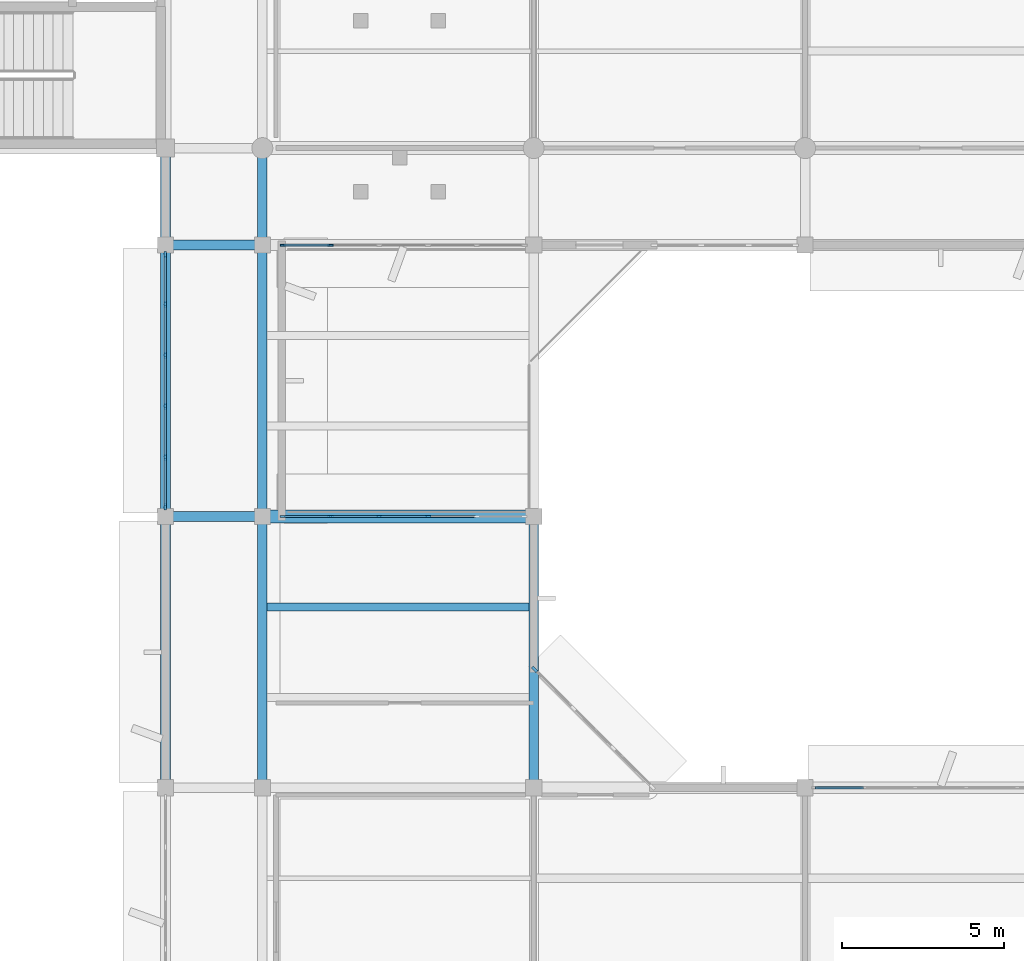
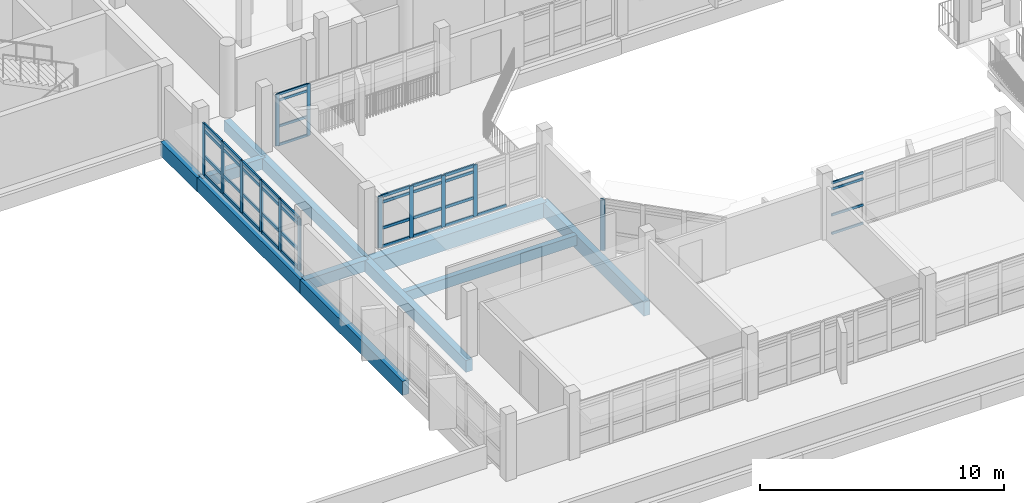
# One storey, part 17 of 92: 54 members, 11 beams, 5 elements without a shape of their own.
"""IFC4 building model written with IfcOpenShell, lengths in metres."""

from ifc_helpers import new_model, si_unit, direction, frame, origin, origin_2d, place, context, subcontext, project, spatial, rectangle, extrude, material, material_profile, profile_set, type_object, element, aggregate, save


model = new_model("IFC4")

# Units and contexts
model_context = context("Model", 3, precision=1e-05, world=origin(), true_north=direction((0.0, 1.0)))
body_context = subcontext(model_context, "Body", "Model", "MODEL_VIEW")
ifc_project = project(units=[si_unit("LENGTHUNIT", "METRE"), si_unit("AREAUNIT", "SQUARE_METRE"), si_unit("VOLUMEUNIT", "CUBIC_METRE"), si_unit("PLANEANGLEUNIT", "RADIAN"), si_unit("MASSUNIT", "GRAM", prefix="KILO")], contexts=[model_context])

# Site, building, storey
site_placement = place(None, origin())
site = spatial("IfcSite", under=ifc_project, at=site_placement, CompositionType="ELEMENT")
building_placement = place(site_placement, origin())
building = spatial("IfcBuilding", under=site, at=building_placement, Name="Vanh Quang Courtyard School", CompositionType="ELEMENT")
storey_placement = place(building_placement, frame((0.0, 0.0, 7.800048828125)))
storey = spatial("IfcBuildingStorey", under=building, at=storey_placement, Name="L02", CompositionType="ELEMENT", Elevation=7.800048828125)

# Beams
ifc_material_1 = material(Name="Concrete C35/45", Category="concrete")
ifc_material_profile_1 = material_profile(ifc_material_1, rectangle(XDim=0.300048828125, YDim=0.550048828125, at=origin_2d()), Name="RC-BM 300x550")
ifc_profile_set_1 = profile_set([ifc_material_profile_1], Name="Concrete C35/45")
beam_type_1 = type_object("IfcBeamType", Name="BM-RC-300x550", PredefinedType="BEAM", material=ifc_profile_set_1)
for number, where, z_axis, x_axis, name in (
    (1, (74.39990234375, 21.0, -0.554931640625), (1.0, 0.0, 0.0), (0.0, 1.0, 0.0), "Beam B-07 (L02)"),
    (2, (74.39990234375, 29.39990234375, -0.554931640625), (1.0, 0.0, 0.0), (0.0, 1.0, 0.0), "Beam B-07 (L02)"),
    (3, (77.39990234375, 29.39990234375, -0.554931640625), (0.0, 1.0, 0.0), (-1.0, 0.0, 0.0), "Beam B-07 (L02)"),
):
    element("IfcBeam", number, at=place(storey_placement, frame(where, z_axis=z_axis, x_axis=x_axis)), inside=storey, type_object=beam_type_1, Name=name, PredefinedType="BEAM", context=body_context, shape_type="SweptSolid", body=[
        extrude(rectangle(XDim=0.300048828125, YDim=0.550048828125, at=origin_2d()), origin(), (0.0, 0.0, 1.0), 3.0),
    ])
ifc_material_profile_2 = material_profile(ifc_material_1, rectangle(XDim=0.300048828125, YDim=0.60009765625, at=origin_2d()), Name="RC-BM 300x600")
ifc_profile_set_2 = profile_set([ifc_material_profile_2], Name="Concrete C35/45")
beam_type_2 = type_object("IfcBeamType", Name="BM-RC-300x600", PredefinedType="BEAM", material=ifc_profile_set_2)
for number, where, z_axis, x_axis, name in (
    (4, (77.39990234375, 12.60009765625, -0.580078125), (0.0, 1.0, 0.0), (-1.0, 0.0, 0.0), "Beam B-06 (L02)"),
    (5, (77.39990234375, 21.0, -0.580078125), (0.0, 1.0, 0.0), (-1.0, 0.0, 0.0), "Beam B-06 (L02)"),
):
    element("IfcBeam", number, at=place(storey_placement, frame(where, z_axis=z_axis, x_axis=x_axis)), inside=storey, type_object=beam_type_2, Name=name, PredefinedType="BEAM", context=body_context, shape_type="SweptSolid", body=[
        extrude(rectangle(XDim=0.300048828125, YDim=0.60009765625, at=origin_2d()), origin(), (0.0, 0.0, 1.0), 8.39990234375),
    ])
ifc_material_profile_3 = material_profile(ifc_material_1, rectangle(XDim=0.39990234375, YDim=0.75, at=origin_2d()), Name="RC-BM 400x750")
ifc_profile_set_3 = profile_set([ifc_material_profile_3], Name="Concrete C35/45")
beam_type_3 = type_object("IfcBeamType", Name="BM-RC-400x750", PredefinedType="BEAM", material=ifc_profile_set_3)
beam_1_placement = place(storey_placement, frame((77.39990234375, 21.0, -0.695068359375), z_axis=(1.0, 0.0, 0.0), x_axis=(0.0, 1.0, 0.0)))
element("IfcBeam", 6, at=beam_1_placement, inside=storey, type_object=beam_type_3, Name="Beam B-03 (L02)", PredefinedType="BEAM", context=body_context, shape_type="SweptSolid", body=[
    extrude(rectangle(XDim=0.39990234375, YDim=0.75, at=origin_2d()), origin(), (0.0, 0.0, 1.0), 8.400146484375),
])
ifc_material_profile_4 = material_profile(ifc_material_1, rectangle(XDim=0.300048828125, YDim=0.699951171875, at=origin_2d()), Name="RC-SP 300x700")
ifc_profile_set_4 = profile_set([ifc_material_profile_4], Name="Concrete C35/45")
beam_type_4 = type_object("IfcBeamType", Name="BM-SP-300x700", PredefinedType="SPANDREL", material=ifc_profile_set_4)
for number, where, z_axis, x_axis, name in (
    (7, (74.39990234375, 12.60009765625, -0.630126953125), (0.0, 1.0, 0.0), (-1.0, 0.0, 0.0), "Beam BS-01 (L02)"),
    (8, (74.39990234375, 21.0, -0.630126953125), (0.0, 1.0, 0.0), (-1.0, 0.0, 0.0), "Beam BS-01 (L02)"),
):
    element("IfcBeam", number, at=place(storey_placement, frame(where, z_axis=z_axis, x_axis=x_axis)), inside=storey, type_object=beam_type_4, Name=name, PredefinedType="SPANDREL", context=body_context, shape_type="SweptSolid", body=[
        extrude(rectangle(XDim=0.300048828125, YDim=0.699951171875, at=origin_2d()), origin(), (0.0, 0.0, 1.0), 8.39990234375),
    ])
beam_2_placement = place(storey_placement, frame((74.39990234375, 29.39990234375, -0.650146484375), z_axis=(0.0, 1.0, 0.0), x_axis=(-1.0, 0.0, 0.0)))
element("IfcBeam", 9, at=beam_2_placement, inside=storey, type_object=beam_type_4, Name="Beam BS-01 (L02)", PredefinedType="SPANDREL", context=body_context, shape_type="SweptSolid", body=[
    extrude(rectangle(XDim=0.300048828125, YDim=0.699951171875, at=origin_2d()), origin(), (0.0, 0.0, 1.0), 3.0),
])
beam_3_placement = place(storey_placement, frame((85.800048828125, 12.60009765625, -0.670166015625), z_axis=(0.0, 1.0, 0.0), x_axis=(-1.0, 0.0, 0.0)))
element("IfcBeam", 10, at=beam_3_placement, inside=storey, type_object=beam_type_4, Name="Beam BS-01 (L02)", PredefinedType="SPANDREL", context=body_context, shape_type="SweptSolid", body=[
    extrude(rectangle(XDim=0.300048828125, YDim=0.699951171875, at=origin_2d()), origin(), (0.0, 0.0, 1.0), 8.39990234375),
])

# Curtain wall, members
ifc_material_2 = material(Name="Thermally broken aluminium unitised curtain wall", Category="aluminium")
curtain_wall_type_1 = type_object("IfcCurtainWallType", Name="CW-SYS-47", PredefinedType="NOTDEFINED", material=ifc_material_2)
curtain_wall_1_placement = place(storey_placement, origin())
curtain_wall_1 = element("IfcCurtainWall", 11, at=curtain_wall_1_placement, inside=storey, type_object=curtain_wall_type_1, Name="Curtain Wall CW-47 (L02)", PredefinedType="NOTDEFINED")
ifc_material_3 = material(Name="Anodised aluminium 6063-T6", Category="aluminium")
ifc_material_profile_5 = material_profile(ifc_material_3, rectangle(XDim=0.06005859375, YDim=0.159912109375, at=origin_2d()), Name="ALU-MUL 60x160")
ifc_profile_set_5 = profile_set([ifc_material_profile_5], Name="Anodised aluminium 6063-T6")
member_type_1 = type_object("IfcMemberType", Name="CW-MUL-60x160", PredefinedType="MULLION", material=ifc_profile_set_5)
member_1_placement = place(storey_placement, frame((79.50830078125, 29.39990234375, 0.0), z_axis=(0.0, 0.0, 1.0), x_axis=(0.0, -1.0, 0.0)))
member_1 = element("IfcMember", 12, at=member_1_placement, type_object=member_type_1, Name="CW-47 mullion 5", PredefinedType="MULLION", context=body_context, shape_type="SweptSolid", body=[
    extrude(rectangle(XDim=0.06005859375, YDim=0.159912109375, at=origin_2d()), origin(), (0.0, 0.0, 1.0), 2.579833984375),
])
member_2_placement = place(storey_placement, frame((78.030029296875, 29.39990234375, 0.0), z_axis=(0.0, 0.0, 1.0), x_axis=(0.0, -1.0, 0.0)))
member_2 = element("IfcMember", 13, at=member_2_placement, type_object=member_type_1, Name="CW-47 mullion 6", PredefinedType="MULLION", context=body_context, shape_type="SweptSolid", body=[
    extrude(rectangle(XDim=0.06005859375, YDim=0.159912109375, at=origin_2d()), origin(), (0.0, 0.0, 1.0), 2.579833984375),
])

curtain_wall_2_placement = place(storey_placement, origin())
curtain_wall_2 = element("IfcCurtainWall", 14, at=curtain_wall_2_placement, inside=storey, type_object=curtain_wall_type_1, Name="Curtain Wall CW-47 (L02)", PredefinedType="NOTDEFINED")
ifc_material_profile_6 = material_profile(ifc_material_3, rectangle(XDim=0.070068359375, YDim=0.179931640625, at=origin_2d()), Name="ALU-MUL 70x180")
ifc_profile_set_6 = profile_set([ifc_material_profile_6], Name="Anodised aluminium 6063-T6")
member_type_2 = type_object("IfcMemberType", Name="CW-MUL-70x180", PredefinedType="MULLION", material=ifc_profile_set_6)
member_3_placement = place(storey_placement, frame((78.034912109375, 21.0, 0.0), z_axis=(0.0, 0.0, 1.0), x_axis=(0.0, 1.0, 0.0)))
member_3 = element("IfcMember", 15, at=member_3_placement, type_object=member_type_2, Name="CW-47 mullion 1", PredefinedType="MULLION", context=body_context, shape_type="SweptSolid", body=[
    extrude(rectangle(XDim=0.070068359375, YDim=0.179931640625, at=origin_2d()), origin(), (0.0, 0.0, 1.0), 2.579833984375),
])
member_4_placement = place(storey_placement, frame((79.50830078125, 21.0, 0.0), z_axis=(0.0, 0.0, 1.0), x_axis=(0.0, 1.0, 0.0)))
member_4 = element("IfcMember", 16, at=member_4_placement, type_object=member_type_2, Name="CW-47 mullion 2", PredefinedType="MULLION", context=body_context, shape_type="SweptSolid", body=[
    extrude(rectangle(XDim=0.070068359375, YDim=0.179931640625, at=origin_2d()), origin(), (0.0, 0.0, 1.0), 2.579833984375),
])
member_5_placement = place(storey_placement, frame((81.016845703125, 21.0, 0.0), z_axis=(0.0, 0.0, 1.0), x_axis=(0.0, 1.0, 0.0)))
member_5 = element("IfcMember", 17, at=member_5_placement, type_object=member_type_2, Name="CW-47 mullion 3", PredefinedType="MULLION", context=body_context, shape_type="SweptSolid", body=[
    extrude(rectangle(XDim=0.070068359375, YDim=0.179931640625, at=origin_2d()), origin(), (0.0, 0.0, 1.0), 2.579833984375),
])
member_6_placement = place(storey_placement, frame((82.525146484375, 21.0, 0.0), z_axis=(0.0, 0.0, 1.0), x_axis=(0.0, 1.0, 0.0)))
member_6 = element("IfcMember", 18, at=member_6_placement, type_object=member_type_2, Name="CW-47 mullion 4", PredefinedType="MULLION", context=body_context, shape_type="SweptSolid", body=[
    extrude(rectangle(XDim=0.070068359375, YDim=0.179931640625, at=origin_2d()), origin(), (0.0, 0.0, 1.0), 2.579833984375),
])

# Curtain wall, member
curtain_wall_type_2 = type_object("IfcCurtainWallType", Name="CW-SYS-37", PredefinedType="NOTDEFINED", material=ifc_material_2)
curtain_wall_3_placement = place(storey_placement, origin())
curtain_wall_3 = element("IfcCurtainWall", 19, at=curtain_wall_3_placement, inside=storey, type_object=curtain_wall_type_2, Name="Curtain Wall CW-37 (L02)", PredefinedType="NOTDEFINED")
ifc_material_profile_7 = material_profile(ifc_material_3, rectangle(XDim=0.080078125, YDim=0.199951171875, at=origin_2d()), Name="ALU-MUL 80x200")
ifc_profile_set_7 = profile_set([ifc_material_profile_7], Name="Anodised aluminium 6063-T6")
member_type_3 = type_object("IfcMemberType", Name="CW-MUL-80x200", PredefinedType="MULLION", material=ifc_profile_set_7)
member_7_placement = place(storey_placement, frame((85.828369140625, 16.267822265625, 0.0), z_axis=(0.0, 0.0, 1.0), x_axis=(0.707106781187, 0.707106781187, 0.0)))
member_7 = element("IfcMember", 20, at=member_7_placement, type_object=member_type_3, Name="CW-37 mullion 1", PredefinedType="MULLION", context=body_context, shape_type="SweptSolid", body=[
    extrude(rectangle(XDim=0.080078125, YDim=0.199951171875, at=origin_2d()), origin(), (0.0, 0.0, 1.0), 2.579833984375),
])
aggregate(curtain_wall_3, [member_7])

# Curtain wall, members
curtain_wall_type_3 = type_object("IfcCurtainWallType", Name="CW-SYS-19", PredefinedType="NOTDEFINED", material=ifc_material_2)
curtain_wall_4_placement = place(storey_placement, origin())
curtain_wall_4 = element("IfcCurtainWall", 21, at=curtain_wall_4_placement, inside=storey, type_object=curtain_wall_type_3, Name="Curtain Wall CW-19 (L02)", PredefinedType="NOTDEFINED")
member_8_placement = place(storey_placement, frame((74.39990234375, 21.298095703125, 0.0), z_axis=(0.0, 0.0, 1.0), x_axis=(-1.0, 0.0, 0.0)))
member_8 = element("IfcMember", 22, at=member_8_placement, type_object=member_type_3, Name="CW-19 mullion 1", PredefinedType="MULLION", context=body_context, shape_type="SweptSolid", body=[
    extrude(rectangle(XDim=0.080078125, YDim=0.199951171875, at=origin_2d()), origin(), (0.0, 0.0, 1.0), 2.579833984375),
])
member_9_placement = place(storey_placement, frame((74.39990234375, 22.834716796875, 0.0), z_axis=(0.0, 0.0, 1.0), x_axis=(-1.0, 0.0, 0.0)))
member_9 = element("IfcMember", 23, at=member_9_placement, type_object=member_type_3, Name="CW-19 mullion 2", PredefinedType="MULLION", context=body_context, shape_type="SweptSolid", body=[
    extrude(rectangle(XDim=0.080078125, YDim=0.199951171875, at=origin_2d()), origin(), (0.0, 0.0, 1.0), 2.579833984375),
])
member_10_placement = place(storey_placement, frame((74.39990234375, 24.41162109375, 0.0), z_axis=(0.0, 0.0, 1.0), x_axis=(-1.0, 0.0, 0.0)))
member_10 = element("IfcMember", 24, at=member_10_placement, type_object=member_type_3, Name="CW-19 mullion 3", PredefinedType="MULLION", context=body_context, shape_type="SweptSolid", body=[
    extrude(rectangle(XDim=0.080078125, YDim=0.199951171875, at=origin_2d()), origin(), (0.0, 0.0, 1.0), 2.579833984375),
])
member_11_placement = place(storey_placement, frame((74.39990234375, 25.98828125, 0.0), z_axis=(0.0, 0.0, 1.0), x_axis=(-1.0, 0.0, 0.0)))
member_11 = element("IfcMember", 25, at=member_11_placement, type_object=member_type_3, Name="CW-19 mullion 4", PredefinedType="MULLION", context=body_context, shape_type="SweptSolid", body=[
    extrude(rectangle(XDim=0.080078125, YDim=0.199951171875, at=origin_2d()), origin(), (0.0, 0.0, 1.0), 2.579833984375),
])
member_12_placement = place(storey_placement, frame((74.39990234375, 27.565185546875, 0.0), z_axis=(0.0, 0.0, 1.0), x_axis=(-1.0, 0.0, 0.0)))
member_12 = element("IfcMember", 26, at=member_12_placement, type_object=member_type_3, Name="CW-19 mullion 5", PredefinedType="MULLION", context=body_context, shape_type="SweptSolid", body=[
    extrude(rectangle(XDim=0.080078125, YDim=0.199951171875, at=origin_2d()), origin(), (0.0, 0.0, 1.0), 2.579833984375),
])
member_13_placement = place(storey_placement, frame((74.39990234375, 29.10205078125, 0.0), z_axis=(0.0, 0.0, 1.0), x_axis=(-1.0, 0.0, 0.0)))
member_13 = element("IfcMember", 27, at=member_13_placement, type_object=member_type_3, Name="CW-19 mullion 6", PredefinedType="MULLION", context=body_context, shape_type="SweptSolid", body=[
    extrude(rectangle(XDim=0.080078125, YDim=0.199951171875, at=origin_2d()), origin(), (0.0, 0.0, 1.0), 2.579833984375),
])

# Member
ifc_material_profile_8 = material_profile(ifc_material_3, rectangle(XDim=0.06005859375, YDim=0.1201171875, at=origin_2d()), Name="ALU-TRN 60x120")
ifc_profile_set_8 = profile_set([ifc_material_profile_8], Name="Anodised aluminium 6063-T6")
member_type_4 = type_object("IfcMemberType", Name="CW-TRN-60x120", PredefinedType="USERDEFINED", material=ifc_profile_set_8)
member_14_placement = place(storey_placement, frame((79.478515625, 29.39990234375, 0.030029296875), z_axis=(-1.0, 0.0, 0.0), x_axis=(0.0, -1.0, 0.0)))
member_14 = element("IfcMember", 28, at=member_14_placement, type_object=member_type_4, Name="CW-47 transom 5.1", ObjectType="TRANSOM", PredefinedType="USERDEFINED", context=body_context, shape_type="SweptSolid", body=[
    extrude(rectangle(XDim=0.06005859375, YDim=0.1201171875, at=origin_2d()), origin(), (0.0, 0.0, 1.0), 1.41845703125),
])

member_15_placement = place(storey_placement, frame((79.478515625, 29.39990234375, 0.949951171875), z_axis=(-1.0, 0.0, 0.0), x_axis=(0.0, -1.0, 0.0)))
member_15 = element("IfcMember", 29, at=member_15_placement, type_object=member_type_4, Name="CW-47 transom 5.2", ObjectType="TRANSOM", PredefinedType="USERDEFINED", context=body_context, shape_type="SweptSolid", body=[
    extrude(rectangle(XDim=0.06005859375, YDim=0.1201171875, at=origin_2d()), origin(), (0.0, 0.0, 1.0), 1.41845703125),
])

member_16_placement = place(storey_placement, frame((79.478515625, 29.39990234375, 2.25), z_axis=(-1.0, 0.0, 0.0), x_axis=(0.0, -1.0, 0.0)))
member_16 = element("IfcMember", 30, at=member_16_placement, type_object=member_type_4, Name="CW-47 transom 5.3", ObjectType="TRANSOM", PredefinedType="USERDEFINED", context=body_context, shape_type="SweptSolid", body=[
    extrude(rectangle(XDim=0.06005859375, YDim=0.1201171875, at=origin_2d()), origin(), (0.0, 0.0, 1.0), 1.41845703125),
])

member_17_placement = place(storey_placement, frame((79.478515625, 29.39990234375, 2.550048828125), z_axis=(-1.0, 0.0, 0.0), x_axis=(0.0, -1.0, 0.0)))
member_17 = element("IfcMember", 31, at=member_17_placement, type_object=member_type_4, Name="CW-47 transom 5.4", ObjectType="TRANSOM", PredefinedType="USERDEFINED", context=body_context, shape_type="SweptSolid", body=[
    extrude(rectangle(XDim=0.06005859375, YDim=0.1201171875, at=origin_2d()), origin(), (0.0, 0.0, 1.0), 1.41845703125),
])

aggregate(curtain_wall_1, [member_1, member_2, member_14, member_15, member_16, member_17])

# Curtain wall, members
curtain_wall_5_placement = place(storey_placement, origin())
curtain_wall_5 = element("IfcCurtainWall", 32, at=curtain_wall_5_placement, inside=storey, type_object=curtain_wall_type_3, Name="Curtain Wall CW-19 (L02)", PredefinedType="NOTDEFINED")
member_18_placement = place(storey_placement, frame((94.51806640625, 12.60009765625, 0.030029296875), z_axis=(1.0, 0.0, 0.0), x_axis=(0.0, 1.0, 0.0)))
member_18 = element("IfcMember", 33, at=member_18_placement, type_object=member_type_4, Name="CW-19 transom 1.1", ObjectType="TRANSOM", PredefinedType="USERDEFINED", context=body_context, shape_type="SweptSolid", body=[
    extrude(rectangle(XDim=0.06005859375, YDim=0.1201171875, at=origin_2d()), origin(), (0.0, 0.0, 1.0), 1.48681640625),
])
member_19_placement = place(storey_placement, frame((94.51806640625, 12.60009765625, 0.949951171875), z_axis=(1.0, 0.0, 0.0), x_axis=(0.0, 1.0, 0.0)))
member_19 = element("IfcMember", 34, at=member_19_placement, type_object=member_type_4, Name="CW-19 transom 1.2", ObjectType="TRANSOM", PredefinedType="USERDEFINED", context=body_context, shape_type="SweptSolid", body=[
    extrude(rectangle(XDim=0.06005859375, YDim=0.1201171875, at=origin_2d()), origin(), (0.0, 0.0, 1.0), 1.48681640625),
])
member_20_placement = place(storey_placement, frame((94.51806640625, 12.60009765625, 2.25), z_axis=(1.0, 0.0, 0.0), x_axis=(0.0, 1.0, 0.0)))
member_20 = element("IfcMember", 35, at=member_20_placement, type_object=member_type_4, Name="CW-19 transom 1.3", ObjectType="TRANSOM", PredefinedType="USERDEFINED", context=body_context, shape_type="SweptSolid", body=[
    extrude(rectangle(XDim=0.06005859375, YDim=0.1201171875, at=origin_2d()), origin(), (0.0, 0.0, 1.0), 1.48681640625),
])
member_21_placement = place(storey_placement, frame((94.51806640625, 12.60009765625, 2.550048828125), z_axis=(1.0, 0.0, 0.0), x_axis=(0.0, 1.0, 0.0)))
member_21 = element("IfcMember", 36, at=member_21_placement, type_object=member_type_4, Name="CW-19 transom 1.4", ObjectType="TRANSOM", PredefinedType="USERDEFINED", context=body_context, shape_type="SweptSolid", body=[
    extrude(rectangle(XDim=0.06005859375, YDim=0.1201171875, at=origin_2d()), origin(), (0.0, 0.0, 1.0), 1.48681640625),
])
aggregate(curtain_wall_5, [member_18, member_19, member_20, member_21])

# Member
ifc_material_profile_9 = material_profile(ifc_material_3, rectangle(XDim=0.070068359375, YDim=0.139892578125, at=origin_2d()), Name="ALU-TRN 70x140")
ifc_profile_set_9 = profile_set([ifc_material_profile_9], Name="Anodised aluminium 6063-T6")
member_type_5 = type_object("IfcMemberType", Name="CW-TRN-70x140", PredefinedType="USERDEFINED", material=ifc_profile_set_9)
member_22_placement = place(storey_placement, frame((78.070068359375, 21.0, 0.034912109375), z_axis=(1.0, 0.0, 0.0), x_axis=(0.0, 1.0, 0.0)))
member_22 = element("IfcMember", 37, at=member_22_placement, type_object=member_type_5, Name="CW-47 transom 1.1", ObjectType="TRANSOM", PredefinedType="USERDEFINED", context=body_context, shape_type="SweptSolid", body=[
    extrude(rectangle(XDim=0.070068359375, YDim=0.139892578125, at=origin_2d()), origin(), (0.0, 0.0, 1.0), 1.4033203125),
])

member_23_placement = place(storey_placement, frame((78.070068359375, 21.0, 0.949951171875), z_axis=(1.0, 0.0, 0.0), x_axis=(0.0, 1.0, 0.0)))
member_23 = element("IfcMember", 38, at=member_23_placement, type_object=member_type_5, Name="CW-47 transom 1.2", ObjectType="TRANSOM", PredefinedType="USERDEFINED", context=body_context, shape_type="SweptSolid", body=[
    extrude(rectangle(XDim=0.070068359375, YDim=0.139892578125, at=origin_2d()), origin(), (0.0, 0.0, 1.0), 1.4033203125),
])

member_24_placement = place(storey_placement, frame((78.070068359375, 21.0, 2.25), z_axis=(1.0, 0.0, 0.0), x_axis=(0.0, 1.0, 0.0)))
member_24 = element("IfcMember", 39, at=member_24_placement, type_object=member_type_5, Name="CW-47 transom 1.3", ObjectType="TRANSOM", PredefinedType="USERDEFINED", context=body_context, shape_type="SweptSolid", body=[
    extrude(rectangle(XDim=0.070068359375, YDim=0.139892578125, at=origin_2d()), origin(), (0.0, 0.0, 1.0), 1.4033203125),
])

member_25_placement = place(storey_placement, frame((78.070068359375, 21.0, 2.544921875), z_axis=(1.0, 0.0, 0.0), x_axis=(0.0, 1.0, 0.0)))
member_25 = element("IfcMember", 40, at=member_25_placement, type_object=member_type_5, Name="CW-47 transom 1.4", ObjectType="TRANSOM", PredefinedType="USERDEFINED", context=body_context, shape_type="SweptSolid", body=[
    extrude(rectangle(XDim=0.070068359375, YDim=0.139892578125, at=origin_2d()), origin(), (0.0, 0.0, 1.0), 1.4033203125),
])

member_26_placement = place(storey_placement, frame((79.54345703125, 21.0, 0.034912109375), z_axis=(1.0, 0.0, 0.0), x_axis=(0.0, 1.0, 0.0)))
member_26 = element("IfcMember", 41, at=member_26_placement, type_object=member_type_5, Name="CW-47 transom 2.1", ObjectType="TRANSOM", PredefinedType="USERDEFINED", context=body_context, shape_type="SweptSolid", body=[
    extrude(rectangle(XDim=0.070068359375, YDim=0.139892578125, at=origin_2d()), origin(), (0.0, 0.0, 1.0), 1.438232421875),
])

member_27_placement = place(storey_placement, frame((79.54345703125, 21.0, 0.949951171875), z_axis=(1.0, 0.0, 0.0), x_axis=(0.0, 1.0, 0.0)))
member_27 = element("IfcMember", 42, at=member_27_placement, type_object=member_type_5, Name="CW-47 transom 2.2", ObjectType="TRANSOM", PredefinedType="USERDEFINED", context=body_context, shape_type="SweptSolid", body=[
    extrude(rectangle(XDim=0.070068359375, YDim=0.139892578125, at=origin_2d()), origin(), (0.0, 0.0, 1.0), 1.438232421875),
])

member_28_placement = place(storey_placement, frame((79.54345703125, 21.0, 2.25), z_axis=(1.0, 0.0, 0.0), x_axis=(0.0, 1.0, 0.0)))
member_28 = element("IfcMember", 43, at=member_28_placement, type_object=member_type_5, Name="CW-47 transom 2.3", ObjectType="TRANSOM", PredefinedType="USERDEFINED", context=body_context, shape_type="SweptSolid", body=[
    extrude(rectangle(XDim=0.070068359375, YDim=0.139892578125, at=origin_2d()), origin(), (0.0, 0.0, 1.0), 1.438232421875),
])

member_29_placement = place(storey_placement, frame((79.54345703125, 21.0, 2.544921875), z_axis=(1.0, 0.0, 0.0), x_axis=(0.0, 1.0, 0.0)))
member_29 = element("IfcMember", 44, at=member_29_placement, type_object=member_type_5, Name="CW-47 transom 2.4", ObjectType="TRANSOM", PredefinedType="USERDEFINED", context=body_context, shape_type="SweptSolid", body=[
    extrude(rectangle(XDim=0.070068359375, YDim=0.139892578125, at=origin_2d()), origin(), (0.0, 0.0, 1.0), 1.438232421875),
])

member_30_placement = place(storey_placement, frame((81.0517578125, 21.0, 0.034912109375), z_axis=(1.0, 0.0, 0.0), x_axis=(0.0, 1.0, 0.0)))
member_30 = element("IfcMember", 45, at=member_30_placement, type_object=member_type_5, Name="CW-47 transom 3.1", ObjectType="TRANSOM", PredefinedType="USERDEFINED", context=body_context, shape_type="SweptSolid", body=[
    extrude(rectangle(XDim=0.070068359375, YDim=0.139892578125, at=origin_2d()), origin(), (0.0, 0.0, 1.0), 1.4384765625),
])

member_31_placement = place(storey_placement, frame((81.0517578125, 21.0, 0.949951171875), z_axis=(1.0, 0.0, 0.0), x_axis=(0.0, 1.0, 0.0)))
member_31 = element("IfcMember", 46, at=member_31_placement, type_object=member_type_5, Name="CW-47 transom 3.2", ObjectType="TRANSOM", PredefinedType="USERDEFINED", context=body_context, shape_type="SweptSolid", body=[
    extrude(rectangle(XDim=0.070068359375, YDim=0.139892578125, at=origin_2d()), origin(), (0.0, 0.0, 1.0), 1.4384765625),
])

member_32_placement = place(storey_placement, frame((81.0517578125, 21.0, 2.25), z_axis=(1.0, 0.0, 0.0), x_axis=(0.0, 1.0, 0.0)))
member_32 = element("IfcMember", 47, at=member_32_placement, type_object=member_type_5, Name="CW-47 transom 3.3", ObjectType="TRANSOM", PredefinedType="USERDEFINED", context=body_context, shape_type="SweptSolid", body=[
    extrude(rectangle(XDim=0.070068359375, YDim=0.139892578125, at=origin_2d()), origin(), (0.0, 0.0, 1.0), 1.4384765625),
])

member_33_placement = place(storey_placement, frame((81.0517578125, 21.0, 2.544921875), z_axis=(1.0, 0.0, 0.0), x_axis=(0.0, 1.0, 0.0)))
member_33 = element("IfcMember", 48, at=member_33_placement, type_object=member_type_5, Name="CW-47 transom 3.4", ObjectType="TRANSOM", PredefinedType="USERDEFINED", context=body_context, shape_type="SweptSolid", body=[
    extrude(rectangle(XDim=0.070068359375, YDim=0.139892578125, at=origin_2d()), origin(), (0.0, 0.0, 1.0), 1.4384765625),
])

member_34_placement = place(storey_placement, frame((82.560302734375, 21.0, 0.034912109375), z_axis=(1.0, 0.0, 0.0), x_axis=(0.0, 1.0, 0.0)))
member_34 = element("IfcMember", 49, at=member_34_placement, type_object=member_type_5, Name="CW-47 transom 4.1", ObjectType="TRANSOM", PredefinedType="USERDEFINED", context=body_context, shape_type="SweptSolid", body=[
    extrude(rectangle(XDim=0.070068359375, YDim=0.139892578125, at=origin_2d()), origin(), (0.0, 0.0, 1.0), 1.438232421875),
])

aggregate(curtain_wall_2, [member_3, member_4, member_5, member_6, member_22, member_23, member_24, member_25, member_26, member_27, member_28, member_29, member_30, member_31, member_32, member_33, member_34])

ifc_material_profile_10 = material_profile(ifc_material_3, rectangle(XDim=0.080078125, YDim=0.14990234375, at=origin_2d()), Name="ALU-TRN 80x150")
ifc_profile_set_10 = profile_set([ifc_material_profile_10], Name="Anodised aluminium 6063-T6")
member_type_6 = type_object("IfcMemberType", Name="CW-TRN-80x150", PredefinedType="USERDEFINED", material=ifc_profile_set_10)
member_35_placement = place(storey_placement, frame((74.39990234375, 21.337890625, 0.0400390625), z_axis=(0.0, 1.0, 0.0), x_axis=(-1.0, 0.0, 0.0)))
member_35 = element("IfcMember", 50, at=member_35_placement, type_object=member_type_6, Name="CW-19 transom 1.1", ObjectType="TRANSOM", PredefinedType="USERDEFINED", context=body_context, shape_type="SweptSolid", body=[
    extrude(rectangle(XDim=0.080078125, YDim=0.14990234375, at=origin_2d()), origin(), (0.0, 0.0, 1.0), 1.45703125),
])

member_36_placement = place(storey_placement, frame((74.39990234375, 21.337890625, 0.949951171875), z_axis=(0.0, 1.0, 0.0), x_axis=(-1.0, 0.0, 0.0)))
member_36 = element("IfcMember", 51, at=member_36_placement, type_object=member_type_6, Name="CW-19 transom 1.2", ObjectType="TRANSOM", PredefinedType="USERDEFINED", context=body_context, shape_type="SweptSolid", body=[
    extrude(rectangle(XDim=0.080078125, YDim=0.14990234375, at=origin_2d()), origin(), (0.0, 0.0, 1.0), 1.45703125),
])

member_37_placement = place(storey_placement, frame((74.39990234375, 21.337890625, 2.25), z_axis=(0.0, 1.0, 0.0), x_axis=(-1.0, 0.0, 0.0)))
member_37 = element("IfcMember", 52, at=member_37_placement, type_object=member_type_6, Name="CW-19 transom 1.3", ObjectType="TRANSOM", PredefinedType="USERDEFINED", context=body_context, shape_type="SweptSolid", body=[
    extrude(rectangle(XDim=0.080078125, YDim=0.14990234375, at=origin_2d()), origin(), (0.0, 0.0, 1.0), 1.45703125),
])

member_38_placement = place(storey_placement, frame((74.39990234375, 21.337890625, 2.5400390625), z_axis=(0.0, 1.0, 0.0), x_axis=(-1.0, 0.0, 0.0)))
member_38 = element("IfcMember", 53, at=member_38_placement, type_object=member_type_6, Name="CW-19 transom 1.4", ObjectType="TRANSOM", PredefinedType="USERDEFINED", context=body_context, shape_type="SweptSolid", body=[
    extrude(rectangle(XDim=0.080078125, YDim=0.14990234375, at=origin_2d()), origin(), (0.0, 0.0, 1.0), 1.45703125),
])

member_39_placement = place(storey_placement, frame((74.39990234375, 22.874755859375, 0.0400390625), z_axis=(0.0, 1.0, 0.0), x_axis=(-1.0, 0.0, 0.0)))
member_39 = element("IfcMember", 54, at=member_39_placement, type_object=member_type_6, Name="CW-19 transom 2.1", ObjectType="TRANSOM", PredefinedType="USERDEFINED", context=body_context, shape_type="SweptSolid", body=[
    extrude(rectangle(XDim=0.080078125, YDim=0.14990234375, at=origin_2d()), origin(), (0.0, 0.0, 1.0), 1.496826171875),
])

member_40_placement = place(storey_placement, frame((74.39990234375, 22.874755859375, 0.949951171875), z_axis=(0.0, 1.0, 0.0), x_axis=(-1.0, 0.0, 0.0)))
member_40 = element("IfcMember", 55, at=member_40_placement, type_object=member_type_6, Name="CW-19 transom 2.2", ObjectType="TRANSOM", PredefinedType="USERDEFINED", context=body_context, shape_type="SweptSolid", body=[
    extrude(rectangle(XDim=0.080078125, YDim=0.14990234375, at=origin_2d()), origin(), (0.0, 0.0, 1.0), 1.496826171875),
])

member_41_placement = place(storey_placement, frame((74.39990234375, 22.874755859375, 2.25), z_axis=(0.0, 1.0, 0.0), x_axis=(-1.0, 0.0, 0.0)))
member_41 = element("IfcMember", 56, at=member_41_placement, type_object=member_type_6, Name="CW-19 transom 2.3", ObjectType="TRANSOM", PredefinedType="USERDEFINED", context=body_context, shape_type="SweptSolid", body=[
    extrude(rectangle(XDim=0.080078125, YDim=0.14990234375, at=origin_2d()), origin(), (0.0, 0.0, 1.0), 1.496826171875),
])

member_42_placement = place(storey_placement, frame((74.39990234375, 22.874755859375, 2.5400390625), z_axis=(0.0, 1.0, 0.0), x_axis=(-1.0, 0.0, 0.0)))
member_42 = element("IfcMember", 57, at=member_42_placement, type_object=member_type_6, Name="CW-19 transom 2.4", ObjectType="TRANSOM", PredefinedType="USERDEFINED", context=body_context, shape_type="SweptSolid", body=[
    extrude(rectangle(XDim=0.080078125, YDim=0.14990234375, at=origin_2d()), origin(), (0.0, 0.0, 1.0), 1.496826171875),
])

member_43_placement = place(storey_placement, frame((74.39990234375, 24.45166015625, 0.0400390625), z_axis=(0.0, 1.0, 0.0), x_axis=(-1.0, 0.0, 0.0)))
member_43 = element("IfcMember", 58, at=member_43_placement, type_object=member_type_6, Name="CW-19 transom 3.1", ObjectType="TRANSOM", PredefinedType="USERDEFINED", context=body_context, shape_type="SweptSolid", body=[
    extrude(rectangle(XDim=0.080078125, YDim=0.14990234375, at=origin_2d()), origin(), (0.0, 0.0, 1.0), 1.496826171875),
])

member_44_placement = place(storey_placement, frame((74.39990234375, 24.45166015625, 0.949951171875), z_axis=(0.0, 1.0, 0.0), x_axis=(-1.0, 0.0, 0.0)))
member_44 = element("IfcMember", 59, at=member_44_placement, type_object=member_type_6, Name="CW-19 transom 3.2", ObjectType="TRANSOM", PredefinedType="USERDEFINED", context=body_context, shape_type="SweptSolid", body=[
    extrude(rectangle(XDim=0.080078125, YDim=0.14990234375, at=origin_2d()), origin(), (0.0, 0.0, 1.0), 1.496826171875),
])

member_45_placement = place(storey_placement, frame((74.39990234375, 24.45166015625, 2.25), z_axis=(0.0, 1.0, 0.0), x_axis=(-1.0, 0.0, 0.0)))
member_45 = element("IfcMember", 60, at=member_45_placement, type_object=member_type_6, Name="CW-19 transom 3.3", ObjectType="TRANSOM", PredefinedType="USERDEFINED", context=body_context, shape_type="SweptSolid", body=[
    extrude(rectangle(XDim=0.080078125, YDim=0.14990234375, at=origin_2d()), origin(), (0.0, 0.0, 1.0), 1.496826171875),
])

member_46_placement = place(storey_placement, frame((74.39990234375, 24.45166015625, 2.5400390625), z_axis=(0.0, 1.0, 0.0), x_axis=(-1.0, 0.0, 0.0)))
member_46 = element("IfcMember", 61, at=member_46_placement, type_object=member_type_6, Name="CW-19 transom 3.4", ObjectType="TRANSOM", PredefinedType="USERDEFINED", context=body_context, shape_type="SweptSolid", body=[
    extrude(rectangle(XDim=0.080078125, YDim=0.14990234375, at=origin_2d()), origin(), (0.0, 0.0, 1.0), 1.496826171875),
])

member_47_placement = place(storey_placement, frame((74.39990234375, 26.0283203125, 0.0400390625), z_axis=(0.0, 1.0, 0.0), x_axis=(-1.0, 0.0, 0.0)))
member_47 = element("IfcMember", 62, at=member_47_placement, type_object=member_type_6, Name="CW-19 transom 4.1", ObjectType="TRANSOM", PredefinedType="USERDEFINED", context=body_context, shape_type="SweptSolid", body=[
    extrude(rectangle(XDim=0.080078125, YDim=0.14990234375, at=origin_2d()), origin(), (0.0, 0.0, 1.0), 1.496826171875),
])

member_48_placement = place(storey_placement, frame((74.39990234375, 26.0283203125, 0.949951171875), z_axis=(0.0, 1.0, 0.0), x_axis=(-1.0, 0.0, 0.0)))
member_48 = element("IfcMember", 63, at=member_48_placement, type_object=member_type_6, Name="CW-19 transom 4.2", ObjectType="TRANSOM", PredefinedType="USERDEFINED", context=body_context, shape_type="SweptSolid", body=[
    extrude(rectangle(XDim=0.080078125, YDim=0.14990234375, at=origin_2d()), origin(), (0.0, 0.0, 1.0), 1.496826171875),
])

member_49_placement = place(storey_placement, frame((74.39990234375, 26.0283203125, 2.25), z_axis=(0.0, 1.0, 0.0), x_axis=(-1.0, 0.0, 0.0)))
member_49 = element("IfcMember", 64, at=member_49_placement, type_object=member_type_6, Name="CW-19 transom 4.3", ObjectType="TRANSOM", PredefinedType="USERDEFINED", context=body_context, shape_type="SweptSolid", body=[
    extrude(rectangle(XDim=0.080078125, YDim=0.14990234375, at=origin_2d()), origin(), (0.0, 0.0, 1.0), 1.496826171875),
])

member_50_placement = place(storey_placement, frame((74.39990234375, 26.0283203125, 2.5400390625), z_axis=(0.0, 1.0, 0.0), x_axis=(-1.0, 0.0, 0.0)))
member_50 = element("IfcMember", 65, at=member_50_placement, type_object=member_type_6, Name="CW-19 transom 4.4", ObjectType="TRANSOM", PredefinedType="USERDEFINED", context=body_context, shape_type="SweptSolid", body=[
    extrude(rectangle(XDim=0.080078125, YDim=0.14990234375, at=origin_2d()), origin(), (0.0, 0.0, 1.0), 1.496826171875),
])

member_51_placement = place(storey_placement, frame((74.39990234375, 27.605224609375, 0.0400390625), z_axis=(0.0, 1.0, 0.0), x_axis=(-1.0, 0.0, 0.0)))
member_51 = element("IfcMember", 66, at=member_51_placement, type_object=member_type_6, Name="CW-19 transom 5.1", ObjectType="TRANSOM", PredefinedType="USERDEFINED", context=body_context, shape_type="SweptSolid", body=[
    extrude(rectangle(XDim=0.080078125, YDim=0.14990234375, at=origin_2d()), origin(), (0.0, 0.0, 1.0), 1.456787109375),
])

member_52_placement = place(storey_placement, frame((74.39990234375, 27.605224609375, 0.949951171875), z_axis=(0.0, 1.0, 0.0), x_axis=(-1.0, 0.0, 0.0)))
member_52 = element("IfcMember", 67, at=member_52_placement, type_object=member_type_6, Name="CW-19 transom 5.2", ObjectType="TRANSOM", PredefinedType="USERDEFINED", context=body_context, shape_type="SweptSolid", body=[
    extrude(rectangle(XDim=0.080078125, YDim=0.14990234375, at=origin_2d()), origin(), (0.0, 0.0, 1.0), 1.456787109375),
])

member_53_placement = place(storey_placement, frame((74.39990234375, 27.605224609375, 2.25), z_axis=(0.0, 1.0, 0.0), x_axis=(-1.0, 0.0, 0.0)))
member_53 = element("IfcMember", 68, at=member_53_placement, type_object=member_type_6, Name="CW-19 transom 5.3", ObjectType="TRANSOM", PredefinedType="USERDEFINED", context=body_context, shape_type="SweptSolid", body=[
    extrude(rectangle(XDim=0.080078125, YDim=0.14990234375, at=origin_2d()), origin(), (0.0, 0.0, 1.0), 1.456787109375),
])

member_54_placement = place(storey_placement, frame((74.39990234375, 27.605224609375, 2.5400390625), z_axis=(0.0, 1.0, 0.0), x_axis=(-1.0, 0.0, 0.0)))
member_54 = element("IfcMember", 69, at=member_54_placement, type_object=member_type_6, Name="CW-19 transom 5.4", ObjectType="TRANSOM", PredefinedType="USERDEFINED", context=body_context, shape_type="SweptSolid", body=[
    extrude(rectangle(XDim=0.080078125, YDim=0.14990234375, at=origin_2d()), origin(), (0.0, 0.0, 1.0), 1.456787109375),
])

aggregate(curtain_wall_4, [member_8, member_9, member_10, member_11, member_12, member_13, member_35, member_36, member_37, member_38, member_39, member_40, member_41, member_42, member_43, member_44, member_45, member_46, member_47, member_48, member_49, member_50, member_51, member_52, member_53, member_54])

# Beam
ifc_material_4 = material(Name="Concrete C30/37", Category="concrete")
ifc_material_profile_11 = material_profile(ifc_material_4, rectangle(XDim=0.25, YDim=0.5, at=origin_2d()), Name="RC-JST 250x500")
ifc_profile_set_11 = profile_set([ifc_material_profile_11], Name="Concrete C30/37")
beam_type_5 = type_object("IfcBeamType", Name="JST-RC-250x500", PredefinedType="JOIST", material=ifc_profile_set_11)
beam_4_placement = place(storey_placement, frame((77.550048828125, 18.199951171875, -0.530029296875), z_axis=(1.0, 0.0, 0.0), x_axis=(0.0, 1.0, 0.0)))
element("IfcBeam", 70, at=beam_4_placement, inside=storey, type_object=beam_type_5, Name="Beam BJ-01 (L02)", PredefinedType="JOIST", context=body_context, shape_type="SweptSolid", body=[
    extrude(rectangle(XDim=0.25, YDim=0.5, at=origin_2d()), origin(), (0.0, 0.0, 1.0), 8.099853515625),
])

save(model, "model.ifc")
